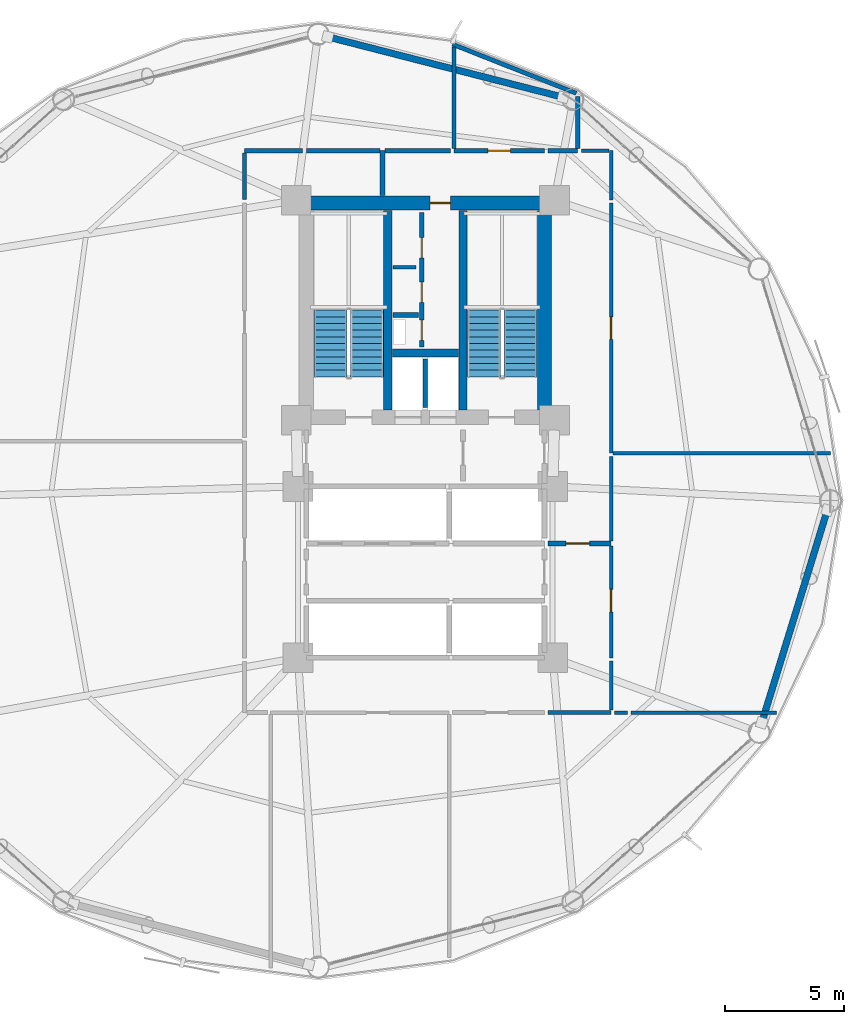
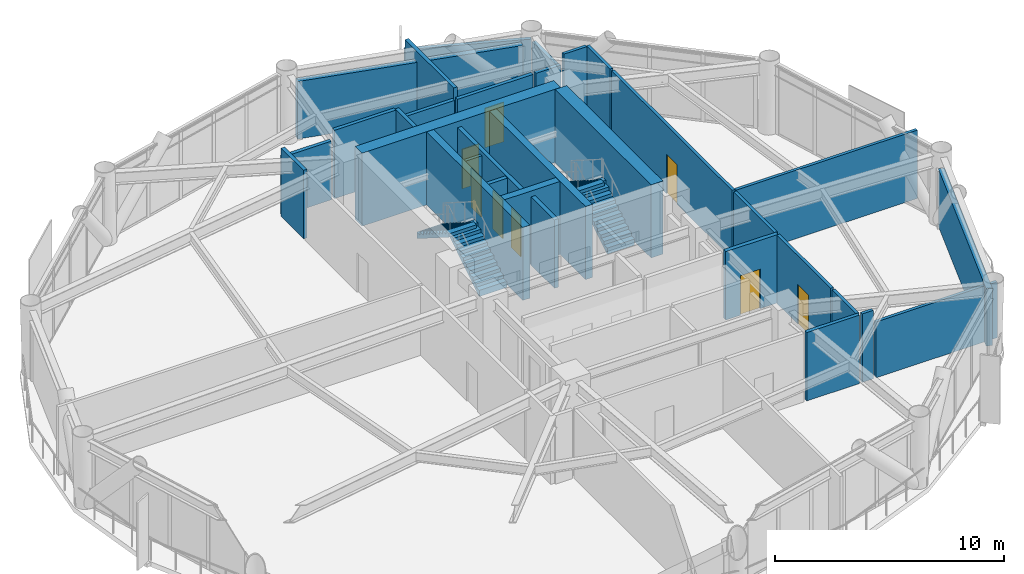
# One storey, part 21 of 25: 32 walls, 8 doors, 4 stair flights, 8 openings, 2 elements without a shape of their own.
"""IFC4 building model written with IfcOpenShell, lengths in metres."""

import ifcopenshell
import ifcopenshell.guid

model = None  # the IFC model being written
_history = None  # IfcOwnerHistory: only IFC2X3 demands one
_inside = {}  # id of a spatial element -> (the spatial element, [elements in it])
_under = {}  # id of a project, library or spatial element -> (it, [spatial elements below it])
_declared = {}  # id of a project -> (the project, [libraries it declares])
_typed = {}  # id of a type object -> (the type object, [elements of that type])
_made_of = {}  # id of a material, layer set ... -> (it, [elements and type objects made of it])


def new_model(schema):
    """Start an empty IFC model of exactly this schema.

    Asked for "IFC4X3", IfcOpenShell would pick the latest addendum, in which some entities
    have other attributes; the version numbers below select the first issue.
    IFC2X3 requires an IfcOwnerHistory on every rooted entity: one is made here for all.
    """
    global model, _history
    if schema == "IFC4X3":
        model = ifcopenshell.file(schema_version=(4, 3, 0, 0))
    else:
        model = ifcopenshell.file(schema=schema)
    _inside.clear()
    _under.clear()
    _declared.clear()
    _typed.clear()
    _made_of.clear()
    _history = None
    if model.schema == "IFC2X3":
        org = make("IfcOrganization", Name="unknown")
        user = make(
            "IfcPersonAndOrganization",
            ThePerson=make("IfcPerson", FamilyName="unknown"),
            TheOrganization=org,
        )
        app = make(
            "IfcApplication",
            ApplicationDeveloper=org,
            Version="unknown",
            ApplicationFullName="unknown",
            ApplicationIdentifier="unknown",
        )
        _history = make(
            "IfcOwnerHistory",
            OwningUser=user,
            OwningApplication=app,
            ChangeAction="ADDED",
            CreationDate=0,
        )
    return model


def make(cls, **values):
    """One entity of the class cls with the attributes given. An attribute that is None is left unset."""
    return model.create_entity(
        cls, **{name: value for name, value in values.items() if value is not None}
    )


def rooted(cls, **values):
    """An entity with a GlobalId (a new one), such as an element, a storey or a relation."""
    return make(cls, GlobalId=ifcopenshell.guid.new(), OwnerHistory=_history, **values)


def si_unit(unit_type, name, prefix=None):
    """IfcSIUnit, for example si_unit("LENGTHUNIT", "METRE", prefix="MILLI")."""
    return make("IfcSIUnit", UnitType=unit_type, Prefix=prefix, Name=name)


def assignment(units):
    """IfcUnitAssignment: the units of a project."""
    return None if units is None else make("IfcUnitAssignment", Units=units)


def point(xyz):
    """IfcCartesianPoint."""
    return None if xyz is None else make("IfcCartesianPoint", Coordinates=xyz)


def direction(xyz):
    """IfcDirection."""
    return None if xyz is None else make("IfcDirection", DirectionRatios=xyz)


def frame(location, z_axis=None, x_axis=None):
    """IfcAxis2Placement3D, a coordinate frame: its origin and axes. An axis left out is left unset."""
    return make(
        "IfcAxis2Placement3D",
        Location=point(location),
        Axis=direction(z_axis),
        RefDirection=direction(x_axis),
    )


def frame_2d(location, x_axis=None):
    """IfcAxis2Placement2D, a coordinate frame in the plane: its origin and x axis."""
    return make(
        "IfcAxis2Placement2D", Location=point(location), RefDirection=direction(x_axis)
    )


def origin():
    """The frame at (0, 0, 0) with its axes left unset."""
    return frame((0.0, 0.0, 0.0))


def place(relative_to, where):
    """IfcLocalPlacement: puts the frame where relative to a parent placement (None: the world)."""
    return make(
        "IfcLocalPlacement", PlacementRelTo=relative_to, RelativePlacement=where
    )


def context(
    kind, dimensions, precision=None, world=None, true_north=None, identifier=None
):
    """IfcGeometricRepresentationContext, for example the 3D "Model" context."""
    return make(
        "IfcGeometricRepresentationContext",
        ContextIdentifier=identifier,
        ContextType=kind,
        CoordinateSpaceDimension=dimensions,
        Precision=precision,
        WorldCoordinateSystem=world,
        TrueNorth=true_north,
    )


def subcontext(parent, identifier, kind, view, scale=None):
    """IfcGeometricRepresentationSubContext, for example "Body" below "Model"."""
    return make(
        "IfcGeometricRepresentationSubContext",
        ContextIdentifier=identifier,
        ContextType=kind,
        ParentContext=parent,
        TargetScale=scale,
        TargetView=view,
    )


def project(units=None, contexts=None):
    """IfcProject with its units and contexts."""
    return rooted(
        "IfcProject",
        Name="project",
        RepresentationContexts=contexts,
        UnitsInContext=assignment(units),
    )


def spatial(cls, under=None, at=None, **own):
    """A site, building, storey or space (cls), placed at a placement, below another one or the project."""
    s = rooted(cls, ObjectPlacement=at, **own)
    if under is not None:
        _under.setdefault(under.id(), (under, []))[1].append(s)
    return s


def polyline(points):
    """IfcPolyline through the points."""
    return make("IfcPolyline", Points=[point(p) for p in points])


def profile(cls, at=None, kind="AREA", **sizes):
    """A parametric profile (cls). Its sizes go by their IFC names, for example OverallWidth=200.0."""
    return make(cls, ProfileType=kind, Position=at, **sizes)


def rectangle(**sizes):
    """IfcRectangleProfileDef."""
    return profile("IfcRectangleProfileDef", **sizes)


def outline(outer, holes=None, kind="AREA"):
    """IfcArbitraryClosedProfileDef: a profile drawn as a closed curve; with holes, ...WithVoids."""
    if holes is None:
        return make("IfcArbitraryClosedProfileDef", ProfileType=kind, OuterCurve=outer)
    return make(
        "IfcArbitraryProfileDefWithVoids",
        ProfileType=kind,
        OuterCurve=outer,
        InnerCurves=holes,
    )


def extrude(swept, where, along, depth):
    """IfcExtrudedAreaSolid: the profile swept, set in the frame where, extruded along a direction by depth."""
    return make(
        "IfcExtrudedAreaSolid",
        SweptArea=swept,
        Position=where,
        ExtrudedDirection=direction(along),
        Depth=depth,
    )


def shape(context_of_items, identifier, shape_type, items):
    """IfcShapeRepresentation: the items that make up one representation, for example the "Body"."""
    return make(
        "IfcShapeRepresentation",
        ContextOfItems=context_of_items,
        RepresentationIdentifier=identifier,
        RepresentationType=shape_type,
        Items=items,
    )


def material(Name=None, Category=None):
    """IfcMaterial."""
    return make("IfcMaterial", Name=Name, Category=Category)


def layer(
    of_material, thickness, ventilated=None, Name=None, Category=None, Priority=None
):
    """IfcMaterialLayer: one layer of a wall or slab, of a material (None: an air gap)."""
    return make(
        "IfcMaterialLayer",
        Material=of_material,
        LayerThickness=thickness,
        IsVentilated=ventilated,
        Name=Name,
        Category=Category,
        Priority=Priority,
    )


def layer_set(layers, Name=None):
    """IfcMaterialLayerSet."""
    return make("IfcMaterialLayerSet", MaterialLayers=layers, LayerSetName=Name)


def made_of(thing, what):
    """Note that an element or type object is made of a material, layer set ...; save() writes the relation."""
    if what is not None:
        _made_of.setdefault(what.id(), (what, []))[1].append(thing)
    return thing


def type_object(cls, material=None, **own):
    """A type object (cls), such as IfcWallType, which elements share."""
    return made_of(rooted(cls, **own), material)


def element(
    cls,
    number,
    at=None,
    inside=None,
    cuts=None,
    type_object=None,
    material=None,
    context=None,
    identifier="Body",
    shape_type=None,
    held_by="IfcProductDefinitionShape",
    body=None,
    shapes=None,
    **own,
):
    """One element of the class cls, such as IfcWall. Its Tag is "e" and its number.

    at: its placement. inside: the storey or other place that contains it. cuts: it is an
    opening in that element (IfcRelVoidsElement). A single representation is given by context,
    identifier, shape_type and body (its items); several are given by shapes. held_by: the class
    of the entity that holds the representations. save() writes the other relations.
    """
    e = rooted(cls, Tag="e%d" % number, ObjectPlacement=at, **own)
    if body is not None:
        shapes = [shape(context, identifier, shape_type, body)]
    if shapes is not None:
        e.Representation = make(held_by, Representations=shapes)
    if inside is not None:
        _inside.setdefault(inside.id(), (inside, []))[1].append(e)
    if cuts is not None:
        rooted(
            "IfcRelVoidsElement", RelatingBuildingElement=cuts, RelatedOpeningElement=e
        )
    if type_object is not None:
        _typed.setdefault(type_object.id(), (type_object, []))[1].append(e)
    return made_of(e, material)


def fill(opening, filler):
    """IfcRelFillsElement: the door or window that sits in an opening."""
    return rooted(
        "IfcRelFillsElement",
        RelatingOpeningElement=opening,
        RelatedBuildingElement=filler,
    )


def aggregate(whole, parts):
    """IfcRelAggregates: a whole, such as a stair, and the parts it consists of."""
    return rooted("IfcRelAggregates", RelatingObject=whole, RelatedObjects=parts)


def save(model, path):
    """Write the relations noted so far, then the file.

    IfcRelAggregates (storeys below a building ...), IfcRelContainedInSpatialStructure (elements
    in a storey), IfcRelDefinesByType, IfcRelAssociatesMaterial and IfcRelDeclares: one each for
    every whole, place, type object, material and project.
    """
    for whole, parts in _under.values():
        aggregate(whole, parts)
    for where, things in _inside.values():
        rooted(
            "IfcRelContainedInSpatialStructure",
            RelatedElements=things,
            RelatingStructure=where,
        )
    for kind, things in _typed.values():
        rooted("IfcRelDefinesByType", RelatedObjects=things, RelatingType=kind)
    for what, things in _made_of.values():
        rooted("IfcRelAssociatesMaterial", RelatedObjects=things, RelatingMaterial=what)
    for by, libraries in _declared.values():
        rooted("IfcRelDeclares", RelatingContext=by, RelatedDefinitions=libraries)
    model.write(path)


model = new_model("IFC4")

# Units and contexts
model_context = context("Model", 3, precision=1e-05, world=origin(), true_north=direction((0.0, 1.0)))
body_context = subcontext(model_context, "Body", "Model", "MODEL_VIEW")
ifc_project = project(units=[si_unit("LENGTHUNIT", "METRE"), si_unit("AREAUNIT", "SQUARE_METRE"), si_unit("VOLUMEUNIT", "CUBIC_METRE"), si_unit("PLANEANGLEUNIT", "RADIAN"), si_unit("MASSUNIT", "GRAM", prefix="KILO")], contexts=[model_context])

# Site, building, storey
site_placement = place(None, origin())
site = spatial("IfcSite", under=ifc_project, at=site_placement, CompositionType="ELEMENT")
building_placement = place(site_placement, origin())
building = spatial("IfcBuilding", under=site, at=building_placement, Name="Varnakorn Sky Granary", CompositionType="ELEMENT")
storey_placement = place(building_placement, frame((0.0, 0.0, 62.699951171875)))
storey = spatial("IfcBuildingStorey", under=building, at=storey_placement, Name="L15", CompositionType="ELEMENT", Elevation=62.699951171875)

# Walls
ifc_material_1 = material(Name="Concrete C50/60", Category="concrete")
ifc_layer_1 = layer(ifc_material_1, 0.35009765625, Name="Concrete C50/60")
ifc_layer_set_1 = layer_set([ifc_layer_1], Name="Concrete C50/60")
wall_type_1 = type_object("IfcWallType", Name="WT-CW-INT-350", PredefinedType="SHEAR", material=ifc_layer_set_1)
for number, where, z_axis, x_axis, name in (
    (1, (1.419921875, 3.81005859375, 0.0), (0.0, 0.0, 1.0), (0.0, 1.0, 0.0), "Stair ST-1 Core Wall L15"),
    (2, (4.580078125, 3.81005859375, 0.0), (0.0, 0.0, 1.0), (0.0, 1.0, 0.0), "Stair ST-2 Core Wall L15"),
):
    element("IfcWall", number, at=place(storey_placement, frame(where, z_axis=z_axis, x_axis=x_axis)), inside=storey, type_object=wall_type_1, Name=name, PredefinedType="SHEAR", context=body_context, shape_type="SweptSolid", body=[
        extrude(rectangle(XDim=8.3798828125, YDim=0.35009765625, at=frame_2d((4.18994140625, 0.0))), origin(), (0.0, 0.0, 1.0), 3.89208984375),
    ])
wall_1_placement = place(storey_placement, frame((1.610107421875, 6.199951171875, 0.0), z_axis=(0.0, 0.0, 1.0), x_axis=(1.0, 0.0, 0.0)))
element("IfcWall", 3, at=wall_1_placement, inside=storey, type_object=wall_type_1, Name="Core Lift Shaft Cross Wall L15", PredefinedType="SHEAR", context=body_context, shape_type="SweptSolid", body=[
    extrude(rectangle(XDim=2.77978515625, YDim=0.35009765625, at=frame_2d((1.389892578125, 0.0))), origin(), (0.0, 0.0, 1.0), 3.89208984375),
])

# Wall, opening, door
ifc_material_2 = material(Name="Concrete C60/75", Category="concrete")
ifc_layer_2 = layer(ifc_material_2, 0.60009765625, Name="Concrete C60/75")
ifc_layer_set_2 = layer_set([ifc_layer_2], Name="Concrete C60/75")
wall_type_2 = type_object("IfcWallType", Name="WT-CW-SHEAR-600", PredefinedType="SHEAR", material=ifc_layer_set_2)
wall_2_placement = place(storey_placement, frame((-2.0, 12.5, 0.0), z_axis=(0.0, 0.0, 1.0), x_axis=(1.0, 0.0, 0.0)))
wall_2 = element("IfcWall", 4, at=wall_2_placement, inside=storey, type_object=wall_type_2, Name="Core North Shear Wall L15", PredefinedType="SHEAR", context=body_context, shape_type="SweptSolid", body=[
    extrude(rectangle(XDim=10.0, YDim=0.60009765625, at=frame_2d((5.0, 0.0))), origin(), (0.0, 0.0, 1.0), 3.89208984375),
])
opening_1_placement = place(wall_2_placement, frame((5.199951171875, 0.0, 0.0)))
opening_1 = element("IfcOpeningElement", 5, at=opening_1_placement, cuts=wall_2, Name="Opening FD-60N", PredefinedType="OPENING", context=body_context, shape_type="SweptSolid", body=[
    extrude(rectangle(XDim=0.85009765625, YDim=2.10009765625, at=frame_2d((0.425048828125, 1.050048828125))), frame((0.0, 0.31005859375, 0.0), z_axis=(0.0, -1.0, 0.0), x_axis=(1.0, 0.0, 0.0)), (0.0, 0.0, 1.0), 0.6201171875),
])
ifc_material_3 = material(Name="Acoustic Timber Fire Leaf", Category="wood")
door_type_1 = type_object("IfcDoorType", Name="DR-FD60-850", OperationType="NOTDEFINED", PredefinedType="DOOR", material=ifc_material_3)
door_1_placement = place(opening_1_placement, origin())
door_1 = element("IfcDoor", 6, at=door_1_placement, inside=storey, type_object=door_type_1, Name="Core North Service Door L15", OperationType="SINGLE_SWING_LEFT", OverallHeight=2.10009765625, OverallWidth=0.85009765625, PredefinedType="DOOR", context=body_context, shape_type="SweptSolid", body=[
    extrude(rectangle(XDim=0.85009765625, YDim=2.10009765625, at=frame_2d((0.425048828125, 1.050048828125))), frame((0.0, 0.02490234375, 0.0), z_axis=(0.0, -1.0, 0.0), x_axis=(1.0, 0.0, 0.0)), (0.0, 0.0, 1.0), 0.050048828125),
])
fill(opening_1, door_1)

# Walls
wall_3_placement = place(storey_placement, frame((8.0, 3.81005859375, 0.0), z_axis=(0.0, 0.0, 1.0), x_axis=(0.0, 1.0, 0.0)))
element("IfcWall", 7, at=wall_3_placement, inside=storey, type_object=wall_type_2, Name="Core East Shear Wall L15", PredefinedType="SHEAR", context=body_context, shape_type="SweptSolid", body=[
    extrude(rectangle(XDim=8.3798828125, YDim=0.60009765625, at=frame_2d((4.18994140625, 0.0))), origin(), (0.0, 0.0, 1.0), 3.89208984375),
])
ifc_material_4 = material(Name="Precast concrete C40/50", Category="concrete")
ifc_layer_3 = layer(ifc_material_4, 0.280029296875, Name="Precast concrete C40/50")
ifc_layer_set_3 = layer_set([ifc_layer_3], Name="Precast concrete C40/50")
wall_type_3 = type_object("IfcWallType", Name="WT-EW-CRN-280", PredefinedType="SOLIDWALL", material=ifc_layer_set_3)
wall_4_placement = place(storey_placement, frame((-1.100830078125, 19.480712890625, 0.0), z_axis=(0.0, 0.0, 1.0), x_axis=(0.968647190334, -0.248440376463, 0.0)))
element("IfcWall", 8, at=wall_4_placement, inside=storey, type_object=wall_type_3, Name="Agritech Insulated Precast Facade Wall L15-P03", PredefinedType="SOLIDWALL", context=body_context, shape_type="SweptSolid", body=[
    extrude(rectangle(XDim=10.207275390625, YDim=0.280029296875, at=frame_2d((5.103515625, 0.0))), origin(), (0.0, 0.0, 1.0), 3.06005859375),
])
wall_5_placement = place(storey_placement, frame((19.884521484375, -0.393798828125, 0.0), z_axis=(0.0, 0.0, 1.0), x_axis=(-0.294639825204, -0.95560837868, 0.0)))
element("IfcWall", 9, at=wall_5_placement, inside=storey, type_object=wall_type_3, Name="Agritech Insulated Precast Facade Wall L15-P12", PredefinedType="SOLIDWALL", context=body_context, shape_type="SweptSolid", body=[
    extrude(rectangle(XDim=9.3515625, YDim=0.280029296875, at=frame_2d((4.67578125, 0.0))), origin(), (0.0, 0.0, 1.0), 3.06005859375),
])

# Wall, openings, doors
ifc_material_5 = material(Name="Autoclaved Aerated Concrete Blockwork", Category="masonry")
ifc_layer_4 = layer(ifc_material_5, 0.199951171875, Name="Autoclaved Aerated Concrete Blockwork")
ifc_layer_set_4 = layer_set([ifc_layer_4], Name="Autoclaved Aerated Concrete Blockwork")
wall_type_4 = type_object("IfcWallType", Name="WT-FIRE-200", PredefinedType="MOVABLE", material=ifc_layer_set_4)
wall_6_placement = place(storey_placement, frame((2.85009765625, 6.449951171875, 0.0), z_axis=(0.0, 0.0, 1.0), x_axis=(0.0, 1.0, 0.0)))
wall_6 = element("IfcWall", 10, at=wall_6_placement, inside=storey, type_object=wall_type_4, Name="Interior Partition Wall L15-016", PredefinedType="MOVABLE", context=body_context, shape_type="SweptSolid", body=[
    extrude(rectangle(XDim=5.650146484375, YDim=0.199951171875, at=frame_2d((2.8251953125, 0.0))), origin(), (0.0, 0.0, 1.0), 3.64013671875),
])
opening_2_placement = place(wall_6_placement, frame((1.8798828125, 0.0, 0.0)))
opening_2 = element("IfcOpeningElement", 11, at=opening_2_placement, cuts=wall_6, Name="Opening RD-85", PredefinedType="OPENING", context=body_context, shape_type="SweptSolid", body=[
    extrude(rectangle(XDim=0.85009765625, YDim=2.050048828125, at=frame_2d((0.425048828125, 1.02490234375))), frame((0.0, 0.10986328125, 0.0), z_axis=(0.0, -1.0, 0.0), x_axis=(1.0, 0.0, 0.0)), (0.0, 0.0, 1.0), 0.219970703125),
])
opening_3_placement = place(wall_6_placement, frame((3.75, 0.0, 0.0)))
opening_3 = element("IfcOpeningElement", 12, at=opening_3_placement, cuts=wall_6, Name="Opening FD-60N", PredefinedType="OPENING", context=body_context, shape_type="SweptSolid", body=[
    extrude(rectangle(XDim=0.85009765625, YDim=2.10009765625, at=frame_2d((0.425048828125, 1.050048828125))), frame((0.0, 0.10986328125, 0.0), z_axis=(0.0, -1.0, 0.0), x_axis=(1.0, 0.0, 0.0)), (0.0, 0.0, 1.0), 0.219970703125),
])
opening_4_placement = place(wall_6_placement, frame((0.280029296875, 0.0, 0.0)))
opening_4 = element("IfcOpeningElement", 13, at=opening_4_placement, cuts=wall_6, Name="Opening FD-60N", PredefinedType="OPENING", context=body_context, shape_type="SweptSolid", body=[
    extrude(rectangle(XDim=0.85009765625, YDim=2.10009765625, at=frame_2d((0.425048828125, 1.050048828125))), frame((0.0, 0.10986328125, 0.0), z_axis=(0.0, -1.0, 0.0), x_axis=(1.0, 0.0, 0.0)), (0.0, 0.0, 1.0), 0.219970703125),
])
door_2_placement = place(opening_3_placement, origin())
door_2 = element("IfcDoor", 14, at=door_2_placement, inside=storey, type_object=door_type_1, Name="Interior Door L15-016-2", OperationType="SINGLE_SWING_LEFT", OverallHeight=2.10009765625, OverallWidth=0.85009765625, PredefinedType="DOOR", context=body_context, shape_type="SweptSolid", body=[
    extrude(rectangle(XDim=0.85009765625, YDim=2.10009765625, at=frame_2d((0.425048828125, 1.050048828125))), frame((0.0, 0.02490234375, 0.0), z_axis=(0.0, -1.0, 0.0), x_axis=(1.0, 0.0, 0.0)), (0.0, 0.0, 1.0), 0.050048828125),
])
fill(opening_3, door_2)
door_3_placement = place(opening_4_placement, origin())
door_3 = element("IfcDoor", 15, at=door_3_placement, inside=storey, type_object=door_type_1, Name="Interior Door L15-016-3", OperationType="SINGLE_SWING_RIGHT", OverallHeight=2.10009765625, OverallWidth=0.85009765625, PredefinedType="DOOR", context=body_context, shape_type="SweptSolid", body=[
    extrude(rectangle(XDim=0.85009765625, YDim=2.10009765625, at=frame_2d((0.425048828125, 1.050048828125))), frame((0.0, 0.02490234375, 0.0), z_axis=(0.0, -1.0, 0.0), x_axis=(1.0, 0.0, 0.0)), (0.0, 0.0, 1.0), 0.050048828125),
])
fill(opening_4, door_3)
ifc_material_6 = material(Name="Galvanised Painted Steel Leaf", Category="steel")
door_type_2 = type_object("IfcDoorType", Name="DR-RIS-850", OperationType="NOTDEFINED", PredefinedType="DOOR", material=ifc_material_6)
door_4_placement = place(opening_2_placement, origin())
door_4 = element("IfcDoor", 16, at=door_4_placement, inside=storey, type_object=door_type_2, Name="MEP Riser Shaft Access Door L15-016-1", OperationType="SINGLE_SWING_RIGHT", OverallHeight=2.050048828125, OverallWidth=0.85009765625, PredefinedType="DOOR", context=body_context, shape_type="SweptSolid", body=[
    extrude(rectangle(XDim=0.85009765625, YDim=2.050048828125, at=frame_2d((0.425048828125, 1.02490234375))), frame((0.0, 0.02490234375, 0.0), z_axis=(0.0, -1.0, 0.0), x_axis=(1.0, 0.0, 0.0)), (0.0, 0.0, 1.0), 0.050048828125),
])
fill(opening_2, door_4)

# Wall, opening, door
wall_7_placement = place(storey_placement, frame((8.159912109375, -1.800048828125, 0.0), z_axis=(0.0, 0.0, 1.0), x_axis=(1.0, 0.0, 0.0)))
wall_7 = element("IfcWall", 17, at=wall_7_placement, inside=storey, type_object=wall_type_4, Name="Interior Partition Wall L15-022", PredefinedType="MOVABLE", context=body_context, shape_type="SweptSolid", body=[
    extrude(rectangle(XDim=2.64013671875, YDim=0.199951171875, at=frame_2d((1.320068359375, 0.0))), origin(), (0.0, 0.0, 1.0), 3.64013671875),
])
opening_5_placement = place(wall_7_placement, frame((0.739990234375, 0.0, 0.0)))
opening_5 = element("IfcOpeningElement", 18, at=opening_5_placement, cuts=wall_7, Name="Opening FD-60", PredefinedType="OPENING", context=body_context, shape_type="SweptSolid", body=[
    extrude(rectangle(XDim=1.0, YDim=2.10009765625, at=frame_2d((0.5, 1.050048828125))), frame((0.0, 0.10986328125, 0.0), z_axis=(0.0, -1.0, 0.0), x_axis=(1.0, 0.0, 0.0)), (0.0, 0.0, 1.0), 0.219970703125),
])
door_type_3 = type_object("IfcDoorType", Name="DR-FD60-1000", OperationType="NOTDEFINED", PredefinedType="DOOR", material=ifc_material_3)
door_5_placement = place(opening_5_placement, origin())
door_5 = element("IfcDoor", 19, at=door_5_placement, inside=storey, type_object=door_type_3, Name="Interior Door L15-022-1", OperationType="SINGLE_SWING_RIGHT", OverallHeight=2.10009765625, OverallWidth=1.0, PredefinedType="DOOR", context=body_context, shape_type="SweptSolid", body=[
    extrude(rectangle(XDim=1.0, YDim=2.10009765625, at=frame_2d((0.5, 1.050048828125))), frame((0.0, 0.02490234375, 0.0), z_axis=(0.0, -1.0, 0.0), x_axis=(1.0, 0.0, 0.0)), (0.0, 0.0, 1.0), 0.050048828125),
])
fill(opening_5, door_5)

# Wall
wall_8_placement = place(storey_placement, frame((1.199951171875, 14.699951171875, 0.0), z_axis=(0.0, 0.0, 1.0), x_axis=(0.0, -1.0, 0.0)))
element("IfcWall", 20, at=wall_8_placement, inside=storey, type_object=wall_type_4, Name="Interior Partition Wall L15-032", PredefinedType="MOVABLE", context=body_context, shape_type="SweptSolid", body=[
    extrude(rectangle(XDim=1.889892578125, YDim=0.199951171875, at=frame_2d((0.94482421875, 0.0))), origin(), (0.0, 0.0, 1.0), 3.64013671875),
])

# Wall, opening, door
ifc_material_7 = material(Name="Gypsum Plasterboard on Steel Stud", Category="steel")
ifc_layer_5 = layer(ifc_material_7, 0.14990234375, Name="Gypsum Plasterboard on Steel Stud")
ifc_layer_set_5 = layer_set([ifc_layer_5], Name="Gypsum Plasterboard on Steel Stud")
wall_type_5 = type_object("IfcWallType", Name="WT-PART-150", PredefinedType="PARTITIONING", material=ifc_layer_set_5)
wall_9_placement = place(storey_placement, frame((10.800048828125, -6.60009765625, 0.0), z_axis=(0.0, 0.0, 1.0), x_axis=(0.0, 1.0, 0.0)))
wall_9 = element("IfcWall", 21, at=wall_9_placement, inside=storey, type_object=wall_type_5, Name="Interior Partition Wall L15-028", PredefinedType="PARTITIONING", context=body_context, shape_type="SweptSolid", body=[
    extrude(rectangle(XDim=4.690185546875, YDim=0.14990234375, at=frame_2d((2.34521484375, 0.0))), origin(), (0.0, 0.0, 1.0), 3.64013671875),
])
opening_6_placement = place(wall_9_placement, frame((1.925048828125, 0.0, 0.0)))
opening_6 = element("IfcOpeningElement", 22, at=opening_6_placement, cuts=wall_9, Name="Opening ID-95", PredefinedType="OPENING", context=body_context, shape_type="SweptSolid", body=[
    extrude(rectangle(XDim=0.949951171875, YDim=2.10009765625, at=frame_2d((0.47509765625, 1.050048828125))), frame((0.0, 0.0849609375, 0.0), z_axis=(0.0, -1.0, 0.0), x_axis=(1.0, 0.0, 0.0)), (0.0, 0.0, 1.0), 0.169921875),
])
ifc_material_8 = material(Name="Solid-Core Teak Veneer Leaf", Category="timber")
door_type_4 = type_object("IfcDoorType", Name="DR-INT-950", OperationType="NOTDEFINED", PredefinedType="DOOR", material=ifc_material_8)
door_6_placement = place(opening_6_placement, origin())
door_6 = element("IfcDoor", 23, at=door_6_placement, inside=storey, type_object=door_type_4, Name="Interior Door L15-028-1", OperationType="SINGLE_SWING_RIGHT", OverallHeight=2.10009765625, OverallWidth=0.949951171875, PredefinedType="DOOR", context=body_context, shape_type="SweptSolid", body=[
    extrude(rectangle(XDim=0.949951171875, YDim=2.10009765625, at=frame_2d((0.47509765625, 1.050048828125))), frame((0.0, 0.02490234375, 0.0), z_axis=(0.0, -1.0, 0.0), x_axis=(1.0, 0.0, 0.0)), (0.0, 0.0, 1.0), 0.050048828125),
])
fill(opening_6, door_6)

wall_10_placement = place(storey_placement, frame((10.800048828125, 2.0, 0.0), z_axis=(0.0, 0.0, 1.0), x_axis=(0.0, 1.0, 0.0)))
wall_10 = element("IfcWall", 24, at=wall_10_placement, inside=storey, type_object=wall_type_5, Name="Interior Partition Wall L15-029", PredefinedType="PARTITIONING", context=body_context, shape_type="SweptSolid", body=[
    extrude(rectangle(XDim=10.5, YDim=0.14990234375, at=frame_2d((5.25, 0.0))), origin(), (0.0, 0.0, 1.0), 3.64013671875),
])
opening_7_placement = place(wall_10_placement, frame((4.77490234375, 0.0, 0.0)))
opening_7 = element("IfcOpeningElement", 25, at=opening_7_placement, cuts=wall_10, Name="Opening ID-95", PredefinedType="OPENING", context=body_context, shape_type="SweptSolid", body=[
    extrude(rectangle(XDim=0.949951171875, YDim=2.10009765625, at=frame_2d((0.47509765625, 1.050048828125))), frame((0.0, 0.0849609375, 0.0), z_axis=(0.0, -1.0, 0.0), x_axis=(1.0, 0.0, 0.0)), (0.0, 0.0, 1.0), 0.169921875),
])
door_7_placement = place(opening_7_placement, origin())
door_7 = element("IfcDoor", 26, at=door_7_placement, inside=storey, type_object=door_type_4, Name="Interior Door L15-029-1", OperationType="SINGLE_SWING_LEFT", OverallHeight=2.10009765625, OverallWidth=0.949951171875, PredefinedType="DOOR", context=body_context, shape_type="SweptSolid", body=[
    extrude(rectangle(XDim=0.949951171875, YDim=2.10009765625, at=frame_2d((0.47509765625, 1.050048828125))), frame((0.0, 0.02490234375, 0.0), z_axis=(0.0, -1.0, 0.0), x_axis=(1.0, 0.0, 0.0)), (0.0, 0.0, 1.0), 0.050048828125),
])
fill(opening_7, door_7)

# Walls
wall_11_placement = place(storey_placement, frame((1.64990234375, 9.800048828125, 0.0), z_axis=(0.0, 0.0, 1.0), x_axis=(1.0, 0.0, 0.0)))
element("IfcWall", 27, at=wall_11_placement, inside=storey, type_object=wall_type_5, Name="Interior Partition Wall L15-030", PredefinedType="PARTITIONING", context=body_context, shape_type="SweptSolid", body=[
    extrude(rectangle(XDim=0.960205078125, YDim=0.14990234375, at=frame_2d((0.47998046875, 0.0))), origin(), (0.0, 0.0, 1.0), 3.64013671875),
])
wall_12_placement = place(storey_placement, frame((10.949951171875, -8.89990234375, 0.0), z_axis=(0.0, 0.0, 1.0), x_axis=(1.0, 0.0, 0.0)))
element("IfcWall", 28, at=wall_12_placement, inside=storey, type_object=wall_type_5, Name="Interior Partition Wall L15-038", PredefinedType="PARTITIONING", context=body_context, shape_type="SweptSolid", body=[
    extrude(rectangle(XDim=0.550048828125, YDim=0.14990234375, at=frame_2d((0.27490234375, 0.0))), origin(), (0.0, 0.0, 1.0), 3.64013671875),
])
wall_13_placement = place(storey_placement, frame((11.635009765625, -8.89990234375, 0.0), z_axis=(0.0, 0.0, 1.0), x_axis=(1.0, 0.0, 0.0)))
element("IfcWall", 29, at=wall_13_placement, inside=storey, type_object=wall_type_5, Name="Interior Partition Wall L15-039", PredefinedType="PARTITIONING", context=body_context, shape_type="SweptSolid", body=[
    extrude(rectangle(XDim=6.10595703125, YDim=0.14990234375, at=frame_2d((3.052978515625, 0.0))), origin(), (0.0, 0.0, 1.0), 2.97216796875),
])
wall_14_placement = place(storey_placement, frame((10.800048828125, -8.800048828125, 0.0), z_axis=(0.0, 0.0, 1.0), x_axis=(0.0, 1.0, 0.0)))
element("IfcWall", 30, at=wall_14_placement, inside=storey, type_object=wall_type_5, Name="Interior Partition Wall L15-049", PredefinedType="PARTITIONING", context=body_context, shape_type="SweptSolid", body=[
    extrude(rectangle(XDim=2.06494140625, YDim=0.14990234375, at=frame_2d((1.032470703125, 0.0))), origin(), (0.0, 0.0, 1.0), 3.64013671875),
])
wall_15_placement = place(storey_placement, frame((10.800048828125, -1.68994140625, 0.0), z_axis=(0.0, 0.0, 1.0), x_axis=(0.0, 1.0, 0.0)))
element("IfcWall", 31, at=wall_15_placement, inside=storey, type_object=wall_type_5, Name="Interior Partition Wall L15-050", PredefinedType="PARTITIONING", context=body_context, shape_type="SweptSolid", body=[
    extrude(rectangle(XDim=3.554931640625, YDim=0.14990234375, at=frame_2d((1.77734375, 0.0))), origin(), (0.0, 0.0, 1.0), 3.64013671875),
])
wall_16_placement = place(storey_placement, frame((10.885009765625, 2.0, 0.0), z_axis=(0.0, 0.0, 1.0), x_axis=(1.0, 0.0, 0.0)))
element("IfcWall", 32, at=wall_16_placement, inside=storey, type_object=wall_type_5, Name="Interior Partition Wall L15-051", PredefinedType="PARTITIONING", context=body_context, shape_type="SweptSolid", body=[
    extrude(rectangle(XDim=9.125, YDim=0.14990234375, at=frame_2d((4.5625, 0.0))), origin(), (0.0, 0.0, 1.0), 3.64013671875),
])
wall_17_placement = place(storey_placement, frame((10.800048828125, 12.635009765625, 0.0), z_axis=(0.0, 0.0, 1.0), x_axis=(0.0, 1.0, 0.0)))
element("IfcWall", 33, at=wall_17_placement, inside=storey, type_object=wall_type_5, Name="Interior Partition Wall L15-052", PredefinedType="PARTITIONING", context=body_context, shape_type="SweptSolid", body=[
    extrude(rectangle(XDim=2.06494140625, YDim=0.14990234375, at=frame_2d((1.032470703125, 0.0))), origin(), (0.0, 0.0, 1.0), 3.64013671875),
])
wall_18_placement = place(storey_placement, frame((10.715087890625, 14.699951171875, 0.0), z_axis=(0.0, 0.0, 1.0), x_axis=(-1.0, 0.0, 0.0)))
element("IfcWall", 34, at=wall_18_placement, inside=storey, type_object=wall_type_5, Name="Interior Partition Wall L15-053", PredefinedType="PARTITIONING", context=body_context, shape_type="SweptSolid", body=[
    extrude(rectangle(XDim=1.1650390625, YDim=0.14990234375, at=frame_2d((0.58251953125, 0.0))), origin(), (0.0, 0.0, 1.0), 3.64013671875),
])

# Wall, opening, door
ifc_material_9 = material(Name="Moisture-Resistant Gypsum on Stud", Category="gypsum")
ifc_layer_6 = layer(ifc_material_9, 0.179931640625, Name="Moisture-Resistant Gypsum on Stud")
ifc_layer_set_6 = layer_set([ifc_layer_6], Name="Moisture-Resistant Gypsum on Stud")
wall_type_6 = type_object("IfcWallType", Name="WT-PLUMB-180", PredefinedType="PLUMBINGWALL", material=ifc_layer_set_6)
wall_19_placement = place(storey_placement, frame((8.0, 14.699951171875, 0.0), z_axis=(0.0, 0.0, 1.0), x_axis=(-1.0, 0.0, 0.0)))
wall_19 = element("IfcWall", 35, at=wall_19_placement, inside=storey, type_object=wall_type_6, Name="Interior Partition Wall L15-023", PredefinedType="PLUMBINGWALL", context=body_context, shape_type="SweptSolid", body=[
    extrude(rectangle(XDim=3.800048828125, YDim=0.179931640625, at=frame_2d((1.89990234375, 0.0))), origin(), (0.0, 0.0, 1.0), 3.1220703125),
])
opening_8_placement = place(wall_19_placement, frame((1.425048828125, 0.0, 0.0)))
opening_8 = element("IfcOpeningElement", 36, at=opening_8_placement, cuts=wall_19, Name="Opening ID-95", PredefinedType="OPENING", context=body_context, shape_type="SweptSolid", body=[
    extrude(rectangle(XDim=0.949951171875, YDim=2.10009765625, at=frame_2d((0.47509765625, 1.050048828125))), frame((0.0, 0.10009765625, 0.0), z_axis=(0.0, -1.0, 0.0), x_axis=(1.0, 0.0, 0.0)), (0.0, 0.0, 1.0), 0.199951171875),
])
door_8_placement = place(opening_8_placement, origin())
door_8 = element("IfcDoor", 37, at=door_8_placement, inside=storey, type_object=door_type_4, Name="Interior Door L15-023-1", OperationType="SINGLE_SWING_LEFT", OverallHeight=2.10009765625, OverallWidth=0.949951171875, PredefinedType="DOOR", context=body_context, shape_type="SweptSolid", body=[
    extrude(rectangle(XDim=0.949951171875, YDim=2.10009765625, at=frame_2d((0.47509765625, 1.050048828125))), frame((0.0, 0.02490234375, 0.0), z_axis=(0.0, -1.0, 0.0), x_axis=(1.0, 0.0, 0.0)), (0.0, 0.0, 1.0), 0.050048828125),
])
fill(opening_8, door_8)

# Walls
wall_20_placement = place(storey_placement, frame((9.39990234375, 14.699951171875, 0.0), z_axis=(0.0, 0.0, 1.0), x_axis=(-1.0, 0.0, 0.0)))
element("IfcWall", 38, at=wall_20_placement, inside=storey, type_object=wall_type_6, Name="Interior Partition Wall L15-033", PredefinedType="PLUMBINGWALL", context=body_context, shape_type="SweptSolid", body=[
    extrude(rectangle(XDim=1.25, YDim=0.179931640625, at=frame_2d((0.625, 0.0))), origin(), (0.0, 0.0, 1.0), 3.1220703125),
])
wall_21_placement = place(storey_placement, frame((8.14990234375, -8.89990234375, 0.0), z_axis=(0.0, 0.0, 1.0), x_axis=(1.0, 0.0, 0.0)))
element("IfcWall", 39, at=wall_21_placement, inside=storey, type_object=wall_type_6, Name="Interior Partition Wall L15-037", PredefinedType="PLUMBINGWALL", context=body_context, shape_type="SweptSolid", body=[
    extrude(rectangle(XDim=2.650146484375, YDim=0.179931640625, at=frame_2d((1.3251953125, 0.0))), origin(), (0.0, 0.0, 1.0), 3.64013671875),
])
wall_22_placement = place(storey_placement, frame((1.090087890625, 14.699951171875, 0.0), z_axis=(0.0, 0.0, 1.0), x_axis=(-1.0, 0.0, 0.0)))
element("IfcWall", 40, at=wall_22_placement, inside=storey, type_object=wall_type_6, Name="Interior Partition Wall L15-043", PredefinedType="PLUMBINGWALL", context=body_context, shape_type="SweptSolid", body=[
    extrude(rectangle(XDim=3.090087890625, YDim=0.179931640625, at=frame_2d((1.544921875, 0.0))), origin(), (0.0, 0.0, 1.0), 3.64013671875),
])
wall_23_placement = place(storey_placement, frame((-2.14990234375, 14.699951171875, 0.0), z_axis=(0.0, 0.0, 1.0), x_axis=(-1.0, 0.0, 0.0)))
element("IfcWall", 41, at=wall_23_placement, inside=storey, type_object=wall_type_6, Name="Interior Partition Wall L15-044", PredefinedType="PLUMBINGWALL", context=body_context, shape_type="SweptSolid", body=[
    extrude(rectangle(XDim=2.4501953125, YDim=0.179931640625, at=frame_2d((1.22509765625, 0.0))), origin(), (0.0, 0.0, 1.0), 3.1220703125),
])
wall_24_placement = place(storey_placement, frame((-4.60009765625, 14.60009765625, 0.0), z_axis=(0.0, 0.0, 1.0), x_axis=(0.0, -1.0, 0.0)))
element("IfcWall", 42, at=wall_24_placement, inside=storey, type_object=wall_type_6, Name="Interior Partition Wall L15-045", PredefinedType="PLUMBINGWALL", context=body_context, shape_type="SweptSolid", body=[
    extrude(rectangle(XDim=1.9501953125, YDim=0.179931640625, at=frame_2d((0.97509765625, 0.0))), origin(), (0.0, 0.0, 1.0), 3.64013671875),
])
wall_25_placement = place(storey_placement, frame((4.050048828125, 14.699951171875, 0.0), z_axis=(0.0, 0.0, 1.0), x_axis=(-1.0, 0.0, 0.0)))
element("IfcWall", 43, at=wall_25_placement, inside=storey, type_object=wall_type_6, Name="Interior Partition Wall L15-046", PredefinedType="PLUMBINGWALL", context=body_context, shape_type="SweptSolid", body=[
    extrude(rectangle(XDim=2.739990234375, YDim=0.179931640625, at=frame_2d((1.3701171875, 0.0))), origin(), (0.0, 0.0, 1.0), 3.1220703125),
])
wall_26_placement = place(storey_placement, frame((4.14404296875, 19.16796875, 0.0), z_axis=(0.0, 0.0, 1.0), x_axis=(0.929823117235, -0.368006753545, 0.0)))
element("IfcWall", 44, at=wall_26_placement, inside=storey, type_object=wall_type_6, Name="Interior Partition Wall L15-047", PredefinedType="PLUMBINGWALL", context=body_context, shape_type="SweptSolid", body=[
    extrude(rectangle(XDim=5.58935546875, YDim=0.179931640625, at=frame_2d((2.794677734375, 0.0))), origin(), (0.0, 0.0, 1.0), 3.072021484375),
])
wall_27_placement = place(storey_placement, frame((4.199951171875, 19.0458984375, 0.0), z_axis=(0.0, 0.0, 1.0), x_axis=(0.0, -1.0, 0.0)))
element("IfcWall", 45, at=wall_27_placement, inside=storey, type_object=wall_type_6, Name="Interior Partition Wall L15-048", PredefinedType="PLUMBINGWALL", context=body_context, shape_type="SweptSolid", body=[
    extrude(rectangle(XDim=4.245849609375, YDim=0.179931640625, at=frame_2d((2.123046875, 0.0))), origin(), (0.0, 0.0, 1.0), 3.64013671875),
])
wall_28_placement = place(storey_placement, frame((9.39990234375, 14.800048828125, 0.0), z_axis=(0.0, 0.0, 1.0), x_axis=(0.0, 1.0, 0.0)))
element("IfcWall", 46, at=wall_28_placement, inside=storey, type_object=wall_type_6, Name="Interior Partition Wall L15-054", PredefinedType="PLUMBINGWALL", context=body_context, shape_type="SweptSolid", body=[
    extrude(rectangle(XDim=2.1689453125, YDim=0.179931640625, at=frame_2d((1.08447265625, 0.0))), origin(), (0.0, 0.0, 1.0), 2.97216796875),
])
ifc_layer_7 = layer(ifc_material_5, 0.199951171875, Name="Autoclaved Aerated Concrete Blockwork")
ifc_layer_set_7 = layer_set([ifc_layer_7], Name="Autoclaved Aerated Concrete Blockwork")
wall_type_7 = type_object("IfcWallType", Name="WT-SHAFT-200", PredefinedType="SOLIDWALL", material=ifc_layer_set_7)
wall_29_placement = place(storey_placement, frame((3.0, 3.919921875, 0.0), z_axis=(0.0, 0.0, 1.0), x_axis=(0.0, 1.0, 0.0)))
element("IfcWall", 47, at=wall_29_placement, inside=storey, type_object=wall_type_7, Name="Interior Partition Wall L15-001", PredefinedType="SOLIDWALL", context=body_context, shape_type="SweptSolid", body=[
    extrude(rectangle(XDim=2.030029296875, YDim=0.199951171875, at=frame_2d((1.01513671875, 0.0))), origin(), (0.0, 0.0, 1.0), 3.64013671875),
])
wall_30_placement = place(storey_placement, frame((1.64990234375, 7.800048828125, 0.0), z_axis=(0.0, 0.0, 1.0), x_axis=(1.0, 0.0, 0.0)))
element("IfcWall", 48, at=wall_30_placement, inside=storey, type_object=wall_type_7, Name="Interior Partition Wall L15-002", PredefinedType="SOLIDWALL", context=body_context, shape_type="SweptSolid", body=[
    extrude(rectangle(XDim=1.070068359375, YDim=0.199951171875, at=frame_2d((0.53515625, 0.0))), origin(), (0.0, 0.0, 1.0), 3.64013671875),
])

# Stair, stair flights
ifc_material_10 = material(Name="Concrete C40/50", Category="concrete")
stair_type = type_object("IfcStairType", Name="ST-MAIN-ASSEMBLY", PredefinedType="HALF_TURN_STAIR", material=ifc_material_10)
stair_1_placement = place(storey_placement, origin())
stair_1 = element("IfcStair", 49, at=stair_1_placement, inside=storey, type_object=stair_type, Name="L15 Protected Exit Stair ST-1", PredefinedType="HALF_TURN_STAIR")
stair_flight_type = type_object("IfcStairFlightType", Name="ST-MAIN-FLIGHT", PredefinedType="STRAIGHT", material=ifc_material_10)
stair_flight_1_placement = place(storey_placement, frame((0.550048828125, 5.199951171875, 0.0), z_axis=(0.0, 0.0, 1.0), x_axis=(0.0, 1.0, 0.0)))
stair_flight_1 = element("IfcStairFlight", 50, at=stair_flight_1_placement, type_object=stair_flight_type, Name="ST-1 flight 1", NumberOfRisers=11, NumberOfTreads=10, PredefinedType="STRAIGHT", RiserHeight=0.177272727, TreadLength=0.28, context=body_context, shape_type="SweptSolid", body=[
    extrude(outline(polyline([(0.0, -0.14990234375), (0.0, 0.0), (0.0, 0.17724609375), (0.280029296875, 0.17724609375), (0.280029296875, 0.3544921875), (0.56005859375, 0.3544921875), (0.56005859375, 0.53173828125), (0.840087890625, 0.53173828125), (0.840087890625, 0.708984375), (1.1201171875, 0.708984375), (1.1201171875, 0.886474609375), (1.39990234375, 0.886474609375), (1.39990234375, 1.063720703125), (1.679931640625, 1.063720703125), (1.679931640625, 1.240966796875), (1.9599609375, 1.240966796875), (1.9599609375, 1.418212890625), (2.239990234375, 1.418212890625), (2.239990234375, 1.595458984375), (2.52001953125, 1.595458984375), (2.52001953125, 1.772705078125), (2.800048828125, 1.772705078125), (2.800048828125, 1.949951171875), (2.800048828125, 1.59521484375), (0.050048828125, -0.14990234375), (0.0, -0.14990234375)])), frame((0.0, 0.68994140625, 0.0), z_axis=(0.0, -1.0, 0.0), x_axis=(1.0, 0.0, 0.0)), (0.0, 0.0, 1.0), 1.3798828125),
])
stair_flight_2_placement = place(storey_placement, frame((-0.97998046875, 8.0, 1.949951171875), z_axis=(0.0, 0.0, 1.0), x_axis=(0.0, -1.0, 0.0)))
stair_flight_2 = element("IfcStairFlight", 51, at=stair_flight_2_placement, type_object=stair_flight_type, Name="ST-1 flight 2", NumberOfRisers=11, NumberOfTreads=10, PredefinedType="STRAIGHT", RiserHeight=0.177272727, TreadLength=0.28, context=body_context, shape_type="SweptSolid", body=[
    extrude(outline(polyline([(0.0, -0.14990234375), (0.0, 0.0), (0.0, 0.17724609375), (0.280029296875, 0.17724609375), (0.280029296875, 0.3544921875), (0.56005859375, 0.3544921875), (0.56005859375, 0.53173828125), (0.840087890625, 0.53173828125), (0.840087890625, 0.708984375), (1.1201171875, 0.708984375), (1.1201171875, 0.886474609375), (1.39990234375, 0.886474609375), (1.39990234375, 1.063720703125), (1.679931640625, 1.063720703125), (1.679931640625, 1.240966796875), (1.9599609375, 1.240966796875), (1.9599609375, 1.418212890625), (2.239990234375, 1.418212890625), (2.239990234375, 1.595458984375), (2.52001953125, 1.595458984375), (2.52001953125, 1.772705078125), (2.800048828125, 1.772705078125), (2.800048828125, 1.949951171875), (2.800048828125, 1.59521484375), (0.050048828125, -0.14990234375), (0.0, -0.14990234375)])), frame((0.0, 0.68994140625, 0.0), z_axis=(0.0, -1.0, 0.0), x_axis=(1.0, 0.0, 0.0)), (0.0, 0.0, 1.0), 1.3798828125),
])
aggregate(stair_1, [stair_flight_1, stair_flight_2])

stair_2_placement = place(storey_placement, origin())
stair_2 = element("IfcStair", 52, at=stair_2_placement, inside=storey, type_object=stair_type, Name="L15 Protected Exit Stair ST-2", PredefinedType="HALF_TURN_STAIR")
stair_flight_3_placement = place(storey_placement, frame((6.989990234375, 5.199951171875, 0.0), z_axis=(0.0, 0.0, 1.0), x_axis=(0.0, 1.0, 0.0)))
stair_flight_3 = element("IfcStairFlight", 53, at=stair_flight_3_placement, type_object=stair_flight_type, Name="ST-2 flight 1", NumberOfRisers=11, NumberOfTreads=10, PredefinedType="STRAIGHT", RiserHeight=0.177272727, TreadLength=0.28, context=body_context, shape_type="SweptSolid", body=[
    extrude(outline(polyline([(0.0, -0.14990234375), (0.0, 0.0), (0.0, 0.17724609375), (0.280029296875, 0.17724609375), (0.280029296875, 0.3544921875), (0.56005859375, 0.3544921875), (0.56005859375, 0.53173828125), (0.840087890625, 0.53173828125), (0.840087890625, 0.708984375), (1.1201171875, 0.708984375), (1.1201171875, 0.886474609375), (1.39990234375, 0.886474609375), (1.39990234375, 1.063720703125), (1.679931640625, 1.063720703125), (1.679931640625, 1.240966796875), (1.9599609375, 1.240966796875), (1.9599609375, 1.418212890625), (2.239990234375, 1.418212890625), (2.239990234375, 1.595458984375), (2.52001953125, 1.595458984375), (2.52001953125, 1.772705078125), (2.800048828125, 1.772705078125), (2.800048828125, 1.949951171875), (2.800048828125, 1.59521484375), (0.050048828125, -0.14990234375), (0.0, -0.14990234375)])), frame((0.0, 0.68994140625, 0.0), z_axis=(0.0, -1.0, 0.0), x_axis=(1.0, 0.0, 0.0)), (0.0, 0.0, 1.0), 1.3798828125),
])
stair_flight_4_placement = place(storey_placement, frame((5.4599609375, 8.0, 1.949951171875), z_axis=(0.0, 0.0, 1.0), x_axis=(0.0, -1.0, 0.0)))
stair_flight_4 = element("IfcStairFlight", 54, at=stair_flight_4_placement, type_object=stair_flight_type, Name="ST-2 flight 2", NumberOfRisers=11, NumberOfTreads=10, PredefinedType="STRAIGHT", RiserHeight=0.177272727, TreadLength=0.28, context=body_context, shape_type="SweptSolid", body=[
    extrude(outline(polyline([(0.0, -0.14990234375), (0.0, 0.0), (0.0, 0.17724609375), (0.280029296875, 0.17724609375), (0.280029296875, 0.3544921875), (0.56005859375, 0.3544921875), (0.56005859375, 0.53173828125), (0.840087890625, 0.53173828125), (0.840087890625, 0.708984375), (1.1201171875, 0.708984375), (1.1201171875, 0.886474609375), (1.39990234375, 0.886474609375), (1.39990234375, 1.063720703125), (1.679931640625, 1.063720703125), (1.679931640625, 1.240966796875), (1.9599609375, 1.240966796875), (1.9599609375, 1.418212890625), (2.239990234375, 1.418212890625), (2.239990234375, 1.595458984375), (2.52001953125, 1.595458984375), (2.52001953125, 1.772705078125), (2.800048828125, 1.772705078125), (2.800048828125, 1.949951171875), (2.800048828125, 1.59521484375), (0.050048828125, -0.14990234375), (0.0, -0.14990234375)])), frame((0.0, 0.68994140625, 0.0), z_axis=(0.0, -1.0, 0.0), x_axis=(1.0, 0.0, 0.0)), (0.0, 0.0, 1.0), 1.3798828125),
])
aggregate(stair_2, [stair_flight_3, stair_flight_4])

save(model, "model.ifc")
